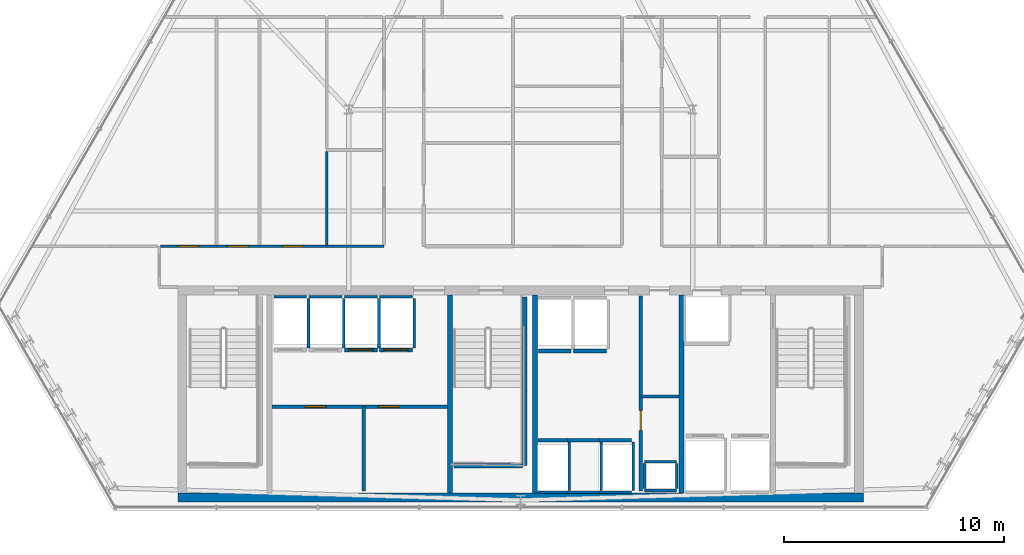
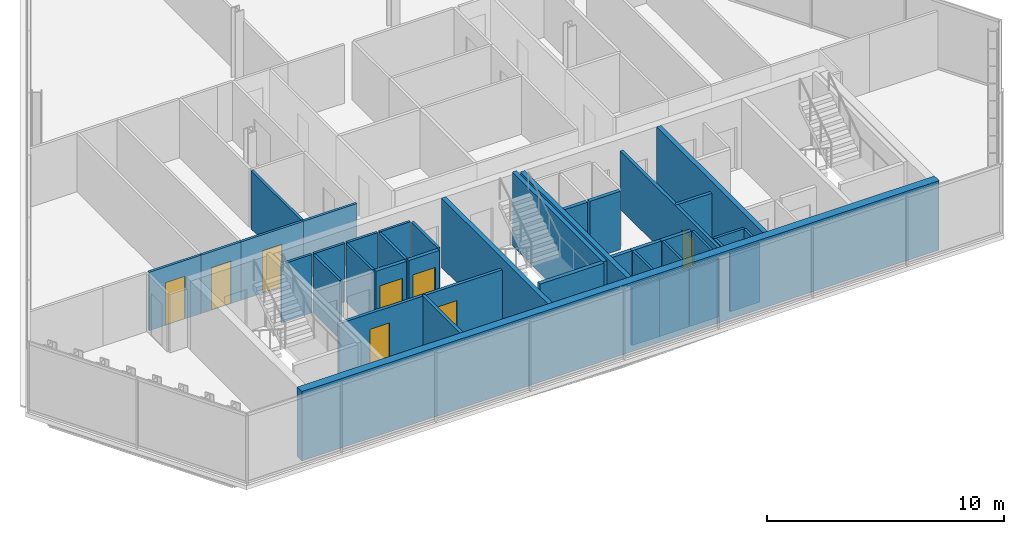
# One storey, part 27 of 33: 40 walls, 8 doors, 8 openings.
"""IFC4 building model written with IfcOpenShell, lengths in metres."""

from ifc_helpers import new_model, si_unit, direction, frame, frame_2d, origin, place, context, subcontext, project, spatial, rectangle, extrude, material, layer, layer_set, type_object, element, fill, save


model = new_model("IFC4")

# Units and contexts
model_context = context("Model", 3, precision=1e-05, world=origin(), true_north=direction((0.0, 1.0)))
body_context = subcontext(model_context, "Body", "Model", "MODEL_VIEW")
ifc_project = project(units=[si_unit("LENGTHUNIT", "METRE"), si_unit("AREAUNIT", "SQUARE_METRE"), si_unit("VOLUMEUNIT", "CUBIC_METRE"), si_unit("PLANEANGLEUNIT", "RADIAN"), si_unit("MASSUNIT", "GRAM", prefix="KILO")], contexts=[model_context])

# Site, building, storey
site_placement = place(None, origin())
site = spatial("IfcSite", under=ifc_project, at=site_placement, CompositionType="ELEMENT")
building_placement = place(site_placement, origin())
building = spatial("IfcBuilding", under=site, at=building_placement, Name="Ndaravel Arena Tower", CompositionType="ELEMENT")
storey_placement = place(building_placement, frame((0.0, 0.0, 161.199951171875)))
storey = spatial("IfcBuildingStorey", under=building, at=storey_placement, Name="L38", CompositionType="ELEMENT", Elevation=161.199951171875)

# Wall, opening, door
ifc_material_1 = material(Name="Gypsum", Category="gypsum")
ifc_layer_1 = layer(ifc_material_1, 0.14990234375)
ifc_layer_set_1 = layer_set([ifc_layer_1], Name="Gypsum")
wall_type_1 = type_object("IfcWallType", Name="WALL-COMP-150", PredefinedType="PARTITIONING", material=ifc_layer_set_1)
wall_1_placement = place(storey_placement, frame((47.449951171875, 5.89990234375, 0.0), z_axis=(0.0, 0.0, 1.0), x_axis=(0.0, 1.0, 0.0)))
wall_1 = element("IfcWall", 1, at=wall_1_placement, inside=storey, type_object=wall_type_1, Name="L38 Core Riser Bay Partition", PredefinedType="PARTITIONING", context=body_context, shape_type="SweptSolid", body=[
    extrude(rectangle(XDim=8.85009765625, YDim=0.14990234375, at=frame_2d((4.425048828125, 0.0))), origin(), (0.0, 0.0, 1.0), 3.010498046875),
])
opening_1_placement = place(wall_1_placement, frame((2.75, 0.0, 0.0)))
opening_1 = element("IfcOpeningElement", 2, at=opening_1_placement, cuts=wall_1, Name="Opening RD-01", PredefinedType="OPENING", context=body_context, shape_type="SweptSolid", body=[
    extrude(rectangle(XDim=0.89990234375, YDim=2.10009765625, at=frame_2d((0.449951171875, 1.050048828125))), frame((0.0, 0.074951171875, 0.0), z_axis=(0.0, -1.0, 0.0), x_axis=(1.0, 0.0, 0.0)), (0.0, 0.0, 1.0), 0.14990234375),
])
ifc_material_2 = material(Name="Steel S355", Category="steel")
door_type_1 = type_object("IfcDoorType", Name="DT-08-RISER-900", OperationType="SINGLE_SWING_LEFT", PredefinedType="DOOR", material=ifc_material_2)
door_1_placement = place(opening_1_placement, origin())
door_1 = element("IfcDoor", 3, at=door_1_placement, inside=storey, type_object=door_type_1, Name="L38 Electrical Riser Door", OperationType="SINGLE_SWING_RIGHT", OverallHeight=2.10009765625, OverallWidth=0.89990234375, PredefinedType="DOOR", context=body_context, shape_type="SweptSolid", body=[
    extrude(rectangle(XDim=0.89990234375, YDim=2.10009765625, at=frame_2d((0.449951171875, 1.050048828125))), frame((0.0, 0.02490234375, 0.0), z_axis=(0.0, -1.0, 0.0), x_axis=(1.0, 0.0, 0.0)), (0.0, 0.0, 1.0), 0.050048828125),
])
fill(opening_1, door_1)

# Wall
wall_2_placement = place(storey_placement, frame((47.449951171875, 10.179931640625, 0.0), z_axis=(0.0, 0.0, 1.0), x_axis=(1.0, 0.0, 0.0)))
element("IfcWall", 4, at=wall_2_placement, inside=storey, type_object=wall_type_1, Name="L38 Core Riser Divider 1", PredefinedType="PARTITIONING", context=body_context, shape_type="SweptSolid", body=[
    extrude(rectangle(XDim=1.72998046875, YDim=0.14990234375, at=frame_2d((0.864990234375, 0.0))), origin(), (0.0, 0.0, 1.0), 3.010498046875),
])

# Wall, openings, doors
wall_3_placement = place(storey_placement, frame((30.719970703125, 9.719970703125, 0.0), z_axis=(0.0, 0.0, 1.0), x_axis=(1.0, 0.0, 0.0)))
wall_3 = element("IfcWall", 5, at=wall_3_placement, inside=storey, type_object=wall_type_1, Name="L38 Reclaimed Shaft Partition", PredefinedType="PARTITIONING", context=body_context, shape_type="SweptSolid", body=[
    extrude(rectangle(XDim=7.9599609375, YDim=0.14990234375, at=frame_2d((3.97998046875, 0.0))), origin(), (0.0, 0.0, 1.0), 3.010498046875),
])
opening_2_placement = place(wall_3_placement, frame((1.5, 0.0, 0.0)))
opening_2 = element("IfcOpeningElement", 6, at=opening_2_placement, cuts=wall_3, Name="Opening FD-03", PredefinedType="OPENING", context=body_context, shape_type="SweptSolid", body=[
    extrude(rectangle(XDim=0.949951171875, YDim=2.199951171875, at=frame_2d((0.47509765625, 1.10009765625))), frame((0.0, 0.074951171875, 0.0), z_axis=(0.0, -1.0, 0.0), x_axis=(1.0, 0.0, 0.0)), (0.0, 0.0, 1.0), 0.14990234375),
])
opening_3_placement = place(wall_3_placement, frame((4.81005859375, 0.0, 0.0)))
opening_3 = element("IfcOpeningElement", 7, at=opening_3_placement, cuts=wall_3, Name="Opening FD-03", PredefinedType="OPENING", context=body_context, shape_type="SweptSolid", body=[
    extrude(rectangle(XDim=0.949951171875, YDim=2.199951171875, at=frame_2d((0.47509765625, 1.10009765625))), frame((0.0, 0.074951171875, 0.0), z_axis=(0.0, -1.0, 0.0), x_axis=(1.0, 0.0, 0.0)), (0.0, 0.0, 1.0), 0.14990234375),
])
ifc_material_3 = material(Name="Steel S355", Category="steel")
door_type_2 = type_object("IfcDoorType", Name="DT-11-CORE-950", OperationType="SINGLE_SWING_LEFT", PredefinedType="DOOR", material=ifc_material_3)
door_2_placement = place(opening_2_placement, origin())
door_2 = element("IfcDoor", 8, at=door_2_placement, inside=storey, type_object=door_type_2, Name="L38 ICT Server Room Door", OperationType="SINGLE_SWING_LEFT", OverallHeight=2.199951171875, OverallWidth=0.949951171875, PredefinedType="DOOR", context=body_context, shape_type="SweptSolid", body=[
    extrude(rectangle(XDim=0.949951171875, YDim=2.199951171875, at=frame_2d((0.47509765625, 1.10009765625))), frame((0.0, 0.02490234375, 0.0), z_axis=(0.0, -1.0, 0.0), x_axis=(1.0, 0.0, 0.0)), (0.0, 0.0, 1.0), 0.050048828125),
])
fill(opening_2, door_2)
door_3_placement = place(opening_3_placement, origin())
door_3 = element("IfcDoor", 9, at=door_3_placement, inside=storey, type_object=door_type_2, Name="L38 Core Archive Room Door", OperationType="SINGLE_SWING_RIGHT", OverallHeight=2.199951171875, OverallWidth=0.949951171875, PredefinedType="DOOR", context=body_context, shape_type="SweptSolid", body=[
    extrude(rectangle(XDim=0.949951171875, YDim=2.199951171875, at=frame_2d((0.47509765625, 1.10009765625))), frame((0.0, 0.02490234375, 0.0), z_axis=(0.0, -1.0, 0.0), x_axis=(1.0, 0.0, 0.0)), (0.0, 0.0, 1.0), 0.050048828125),
])
fill(opening_3, door_3)

# Walls
wall_4_placement = place(storey_placement, frame((34.8798828125, 5.89990234375, 0.0), z_axis=(0.0, 0.0, 1.0), x_axis=(0.0, 1.0, 0.0)))
element("IfcWall", 10, at=wall_4_placement, inside=storey, type_object=wall_type_1, Name="L38 Reclaimed Bay Divider", PredefinedType="PARTITIONING", context=body_context, shape_type="SweptSolid", body=[
    extrude(rectangle(XDim=3.820068359375, YDim=0.14990234375, at=frame_2d((1.91015625, 0.0))), origin(), (0.0, 0.0, 1.0), 3.010498046875),
])
ifc_material_4 = material(Name="Concrete C50/60", Category="concrete")
ifc_layer_2 = layer(ifc_material_4, 0.219970703125)
ifc_layer_set_2 = layer_set([ifc_layer_2], Name="Concrete C50/60")
wall_type_2 = type_object("IfcWallType", Name="WALL-CORE-220", PredefinedType="SOLIDWALL", material=ifc_layer_set_2)
for number, where, z_axis, x_axis, name in (
    (11, (38.800048828125, 5.800048828125, 0.0), (0.0, 0.0, 1.0), (0.0, 1.0, 0.0), "L38 Core Web Shear Wall 2"),
    (12, (42.64990234375, 5.800048828125, 0.0), (0.0, 0.0, 1.0), (0.0, 1.0, 0.0), "L38 Core Web Shear Wall 3"),
    (13, (49.300048828125, 5.800048828125, 0.0), (0.0, 0.0, 1.0), (0.0, 1.0, 0.0), "L38 Core Web Shear Wall 4"),
):
    element("IfcWall", number, at=place(storey_placement, frame(where, z_axis=z_axis, x_axis=x_axis)), inside=storey, type_object=wall_type_2, Name=name, PredefinedType="SOLIDWALL", context=body_context, shape_type="SweptSolid", body=[
        extrude(rectangle(XDim=9.0, YDim=0.219970703125, at=frame_2d((4.5, 0.0))), origin(), (0.0, 0.0, 1.0), 3.580078125),
    ])
ifc_material_5 = material(Name="Concrete C50/60", Category="concrete")
ifc_layer_3 = layer(ifc_material_5, 0.39990234375)
ifc_layer_set_3 = layer_set([ifc_layer_3], Name="Concrete C50/60")
wall_type_3 = type_object("IfcWallType", Name="WALL-CORE-400", PredefinedType="SOLIDWALL", material=ifc_layer_set_3)
wall_5_placement = place(storey_placement, frame((26.449951171875, 5.60009765625, 0.0), z_axis=(0.0, 0.0, 1.0), x_axis=(1.0, 0.0, 0.0)))
element("IfcWall", 14, at=wall_5_placement, inside=storey, type_object=wall_type_3, Name="L38 Core South Shear Wall", PredefinedType="SOLIDWALL", context=body_context, shape_type="SweptSolid", body=[
    extrude(rectangle(XDim=31.10009765625, YDim=0.39990234375, at=frame_2d((15.550048828125, 0.0))), origin(), (0.0, 0.0, 1.0), 3.580078125),
])

# Wall, opening, door
ifc_material_6 = material(Name="Gypsum", Category="gypsum")
ifc_layer_4 = layer(ifc_material_6, 0.125)
ifc_layer_set_4 = layer_set([ifc_layer_4], Name="Gypsum")
wall_type_4 = type_object("IfcWallType", Name="WALL-PART-125", PredefinedType="PARTITIONING", material=ifc_layer_set_4)
wall_6_placement = place(storey_placement, frame((25.6650390625, 17.0, 0.0), z_axis=(0.0, 0.0, 1.0), x_axis=(1.0, 0.0, 0.0)))
wall_6 = element("IfcWall", 15, at=wall_6_placement, inside=storey, type_object=wall_type_4, Name="L38 Interior Partition 005", PredefinedType="PARTITIONING", context=body_context, shape_type="SweptSolid", body=[
    extrude(rectangle(XDim=2.534912109375, YDim=0.125, at=frame_2d((1.267578125, 0.0))), origin(), (0.0, 0.0, 1.0), 3.010498046875),
])
opening_4_placement = place(wall_6_placement, frame((0.79248046875, 0.0, 0.0)))
opening_4 = element("IfcOpeningElement", 16, at=opening_4_placement, cuts=wall_6, Name="Opening ID-01", PredefinedType="OPENING", context=body_context, shape_type="SweptSolid", body=[
    extrude(rectangle(XDim=0.949951171875, YDim=2.199951171875, at=frame_2d((0.47509765625, 1.10009765625))), frame((0.0, 0.0625, 0.0), z_axis=(0.0, -1.0, 0.0), x_axis=(1.0, 0.0, 0.0)), (0.0, 0.0, 1.0), 0.125),
])
ifc_material_7 = material(Name="Timber", Category="wood")
door_type_3 = type_object("IfcDoorType", Name="DT-03-OFFICE-950", OperationType="SINGLE_SWING_LEFT", PredefinedType="DOOR", material=ifc_material_7)
door_4_placement = place(opening_4_placement, origin())
door_4 = element("IfcDoor", 17, at=door_4_placement, inside=storey, type_object=door_type_3, Name="L38 Occupational Consult Room 2 Door", OperationType="SINGLE_SWING_RIGHT", OverallHeight=2.199951171875, OverallWidth=0.949951171875, PredefinedType="DOOR", context=body_context, shape_type="SweptSolid", body=[
    extrude(rectangle(XDim=0.949951171875, YDim=2.199951171875, at=frame_2d((0.47509765625, 1.10009765625))), frame((0.0, 0.02490234375, 0.0), z_axis=(0.0, -1.0, 0.0), x_axis=(1.0, 0.0, 0.0)), (0.0, 0.0, 1.0), 0.050048828125),
])
fill(opening_4, door_4)

wall_7_placement = place(storey_placement, frame((28.199951171875, 17.0, 0.0), z_axis=(0.0, 0.0, 1.0), x_axis=(1.0, 0.0, 0.0)))
wall_7 = element("IfcWall", 18, at=wall_7_placement, inside=storey, type_object=wall_type_4, Name="L38 Interior Partition 006", PredefinedType="PARTITIONING", context=body_context, shape_type="SweptSolid", body=[
    extrude(rectangle(XDim=1.949951171875, YDim=0.125, at=frame_2d((0.97509765625, 0.0))), origin(), (0.0, 0.0, 1.0), 3.010498046875),
])
opening_5_placement = place(wall_7_placement, frame((0.5, 0.0, 0.0)))
opening_5 = element("IfcOpeningElement", 19, at=opening_5_placement, cuts=wall_7, Name="Opening ID-01", PredefinedType="OPENING", context=body_context, shape_type="SweptSolid", body=[
    extrude(rectangle(XDim=0.949951171875, YDim=2.199951171875, at=frame_2d((0.47509765625, 1.10009765625))), frame((0.0, 0.0625, 0.0), z_axis=(0.0, -1.0, 0.0), x_axis=(1.0, 0.0, 0.0)), (0.0, 0.0, 1.0), 0.125),
])
door_5_placement = place(opening_5_placement, origin())
door_5 = element("IfcDoor", 20, at=door_5_placement, inside=storey, type_object=door_type_3, Name="L38 Medical First Aid Clinic 3 Door", OperationType="SINGLE_SWING_LEFT", OverallHeight=2.199951171875, OverallWidth=0.949951171875, PredefinedType="DOOR", context=body_context, shape_type="SweptSolid", body=[
    extrude(rectangle(XDim=0.949951171875, YDim=2.199951171875, at=frame_2d((0.47509765625, 1.10009765625))), frame((0.0, 0.02490234375, 0.0), z_axis=(0.0, -1.0, 0.0), x_axis=(1.0, 0.0, 0.0)), (0.0, 0.0, 1.0), 0.050048828125),
])
fill(opening_5, door_5)

wall_8_placement = place(storey_placement, frame((30.14990234375, 17.0, 0.0), z_axis=(0.0, 0.0, 1.0), x_axis=(1.0, 0.0, 0.0)))
wall_8 = element("IfcWall", 21, at=wall_8_placement, inside=storey, type_object=wall_type_4, Name="L38 Interior Partition 007", PredefinedType="PARTITIONING", context=body_context, shape_type="SweptSolid", body=[
    extrude(rectangle(XDim=3.050048828125, YDim=0.125, at=frame_2d((1.52490234375, 0.0))), origin(), (0.0, 0.0, 1.0), 3.010498046875),
])
opening_6_placement = place(wall_8_placement, frame((1.050048828125, 0.0, 0.0)))
opening_6 = element("IfcOpeningElement", 22, at=opening_6_placement, cuts=wall_8, Name="Opening ID-01", PredefinedType="OPENING", context=body_context, shape_type="SweptSolid", body=[
    extrude(rectangle(XDim=0.949951171875, YDim=2.199951171875, at=frame_2d((0.47509765625, 1.10009765625))), frame((0.0, 0.0625, 0.0), z_axis=(0.0, -1.0, 0.0), x_axis=(1.0, 0.0, 0.0)), (0.0, 0.0, 1.0), 0.125),
])
door_6_placement = place(opening_6_placement, origin())
door_6 = element("IfcDoor", 23, at=door_6_placement, inside=storey, type_object=door_type_3, Name="L38 Training Classroom 4 Door", OperationType="SINGLE_SWING_RIGHT", OverallHeight=2.199951171875, OverallWidth=0.949951171875, PredefinedType="DOOR", context=body_context, shape_type="SweptSolid", body=[
    extrude(rectangle(XDim=0.949951171875, YDim=2.199951171875, at=frame_2d((0.47509765625, 1.10009765625))), frame((0.0, 0.02490234375, 0.0), z_axis=(0.0, -1.0, 0.0), x_axis=(1.0, 0.0, 0.0)), (0.0, 0.0, 1.0), 0.050048828125),
])
fill(opening_6, door_6)

# Walls
wall_9_placement = place(storey_placement, frame((33.199951171875, 17.0, 0.0), z_axis=(0.0, 0.0, 1.0), x_axis=(1.0, 0.0, 0.0)))
element("IfcWall", 24, at=wall_9_placement, inside=storey, type_object=wall_type_4, Name="L38 Interior Partition 008", PredefinedType="PARTITIONING", context=body_context, shape_type="SweptSolid", body=[
    extrude(rectangle(XDim=2.60009765625, YDim=0.125, at=frame_2d((1.300048828125, 0.0))), origin(), (0.0, 0.0, 1.0), 3.010498046875),
])
wall_10_placement = place(storey_placement, frame((33.199951171875, 17.06494140625, 0.0), z_axis=(0.0, 0.0, 1.0), x_axis=(0.0, 1.0, 0.0)))
element("IfcWall", 25, at=wall_10_placement, inside=storey, type_object=wall_type_4, Name="L38 Interior Partition 033", PredefinedType="PARTITIONING", context=body_context, shape_type="SweptSolid", body=[
    extrude(rectangle(XDim=4.238037109375, YDim=0.125, at=frame_2d((2.119140625, 0.0))), origin(), (0.0, 0.0, 1.0), 3.010498046875),
])
ifc_material_8 = material(Name="Concrete C40/50", Category="concrete")
ifc_layer_5 = layer(ifc_material_8, 0.1201171875)
ifc_layer_set_5 = layer_set([ifc_layer_5], Name="Concrete C40/50")
wall_type_5 = type_object("IfcWallType", Name="WALL-SHAFT-120", PredefinedType="SOLIDWALL", material=ifc_layer_set_5)
for number, where, z_axis, x_axis, name in (
    (26, (47.6201171875, 5.919921875, 0.0), (0.0, 0.0, 1.0), (1.0, 0.0, 0.0), "L38 MEP Riser Shaft S Wall"),
    (27, (47.6201171875, 7.219970703125, 0.0), (0.0, 0.0, 1.0), (1.0, 0.0, 0.0), "L38 MEP Riser Shaft N Wall"),
):
    element("IfcWall", number, at=place(storey_placement, frame(where, z_axis=z_axis, x_axis=x_axis)), inside=storey, type_object=wall_type_5, Name=name, PredefinedType="SOLIDWALL", context=body_context, shape_type="SweptSolid", body=[
        extrude(rectangle(XDim=1.4599609375, YDim=0.1201171875, at=frame_2d((0.72998046875, 0.0))), origin(), (0.0, 0.0, 1.0), 3.010498046875),
    ])
for number, where, z_axis, x_axis, name in (
    (28, (47.6201171875, 6.0, 0.0), (0.0, 0.0, 1.0), (0.0, 1.0, 0.0), "L38 MEP Riser Shaft W Wall"),
    (29, (49.080078125, 6.0, 0.0), (0.0, 0.0, 1.0), (0.0, 1.0, 0.0), "L38 MEP Riser Shaft E Wall"),
):
    element("IfcWall", number, at=place(storey_placement, frame(where, z_axis=z_axis, x_axis=x_axis)), inside=storey, type_object=wall_type_5, Name=name, PredefinedType="SOLIDWALL", context=body_context, shape_type="SweptSolid", body=[
        extrude(rectangle(XDim=1.139892578125, YDim=0.1201171875, at=frame_2d((0.56982421875, 0.0))), origin(), (0.0, 0.0, 1.0), 3.010498046875),
    ])
wall_11_placement = place(storey_placement, frame((30.804931640625, 14.7099609375, 0.0), z_axis=(0.0, 0.0, 1.0), x_axis=(1.0, 0.0, 0.0)))
element("IfcWall", 30, at=wall_11_placement, inside=storey, type_object=wall_type_5, Name="L38 PL-M1 Shaft Rear Wall", PredefinedType="SOLIDWALL", context=body_context, shape_type="SweptSolid", body=[
    extrude(rectangle(XDim=1.489990234375, YDim=0.1201171875, at=frame_2d((0.7451171875, 0.0))), origin(), (0.0, 0.0, 1.0), 3.010498046875),
])
wall_12_placement = place(storey_placement, frame((32.375, 12.389892578125, 0.0), z_axis=(0.0, 0.0, 1.0), x_axis=(0.0, 1.0, 0.0)))
element("IfcWall", 31, at=wall_12_placement, inside=storey, type_object=wall_type_5, Name="L38 PL-M1 Shaft Side R Wall", PredefinedType="SOLIDWALL", context=body_context, shape_type="SweptSolid", body=[
    extrude(rectangle(XDim=2.230224609375, YDim=0.1201171875, at=frame_2d((1.115234375, 0.0))), origin(), (0.0, 0.0, 1.0), 3.010498046875),
])
wall_13_placement = place(storey_placement, frame((32.405029296875, 14.7099609375, 0.0), z_axis=(0.0, 0.0, 1.0), x_axis=(1.0, 0.0, 0.0)))
element("IfcWall", 32, at=wall_13_placement, inside=storey, type_object=wall_type_5, Name="L38 PL-M2 Shaft Rear Wall", PredefinedType="SOLIDWALL", context=body_context, shape_type="SweptSolid", body=[
    extrude(rectangle(XDim=1.489990234375, YDim=0.1201171875, at=frame_2d((0.7451171875, 0.0))), origin(), (0.0, 0.0, 1.0), 3.010498046875),
])
wall_14_placement = place(storey_placement, frame((33.97509765625, 12.389892578125, 0.0), z_axis=(0.0, 0.0, 1.0), x_axis=(0.0, 1.0, 0.0)))
element("IfcWall", 33, at=wall_14_placement, inside=storey, type_object=wall_type_5, Name="L38 PL-M2 Shaft Side R Wall", PredefinedType="SOLIDWALL", context=body_context, shape_type="SweptSolid", body=[
    extrude(rectangle(XDim=2.230224609375, YDim=0.1201171875, at=frame_2d((1.115234375, 0.0))), origin(), (0.0, 0.0, 1.0), 3.010498046875),
])
wall_15_placement = place(storey_placement, frame((34.0048828125, 14.7099609375, 0.0), z_axis=(0.0, 0.0, 1.0), x_axis=(1.0, 0.0, 0.0)))
element("IfcWall", 34, at=wall_15_placement, inside=storey, type_object=wall_type_5, Name="L38 PL-M3 Shaft Rear Wall", PredefinedType="SOLIDWALL", context=body_context, shape_type="SweptSolid", body=[
    extrude(rectangle(XDim=1.490234375, YDim=0.1201171875, at=frame_2d((0.7451171875, 0.0))), origin(), (0.0, 0.0, 1.0), 3.010498046875),
])
wall_16_placement = place(storey_placement, frame((35.574951171875, 12.389892578125, 0.0), z_axis=(0.0, 0.0, 1.0), x_axis=(0.0, 1.0, 0.0)))
element("IfcWall", 35, at=wall_16_placement, inside=storey, type_object=wall_type_5, Name="L38 PL-M3 Shaft Side R Wall", PredefinedType="SOLIDWALL", context=body_context, shape_type="SweptSolid", body=[
    extrude(rectangle(XDim=2.230224609375, YDim=0.1201171875, at=frame_2d((1.115234375, 0.0))), origin(), (0.0, 0.0, 1.0), 3.010498046875),
])
wall_17_placement = place(storey_placement, frame((35.60498046875, 14.7099609375, 0.0), z_axis=(0.0, 0.0, 1.0), x_axis=(1.0, 0.0, 0.0)))
element("IfcWall", 36, at=wall_17_placement, inside=storey, type_object=wall_type_5, Name="L38 PL-M4 Shaft Rear Wall", PredefinedType="SOLIDWALL", context=body_context, shape_type="SweptSolid", body=[
    extrude(rectangle(XDim=1.489990234375, YDim=0.1201171875, at=frame_2d((0.7451171875, 0.0))), origin(), (0.0, 0.0, 1.0), 3.010498046875),
])
wall_18_placement = place(storey_placement, frame((37.175048828125, 12.389892578125, 0.0), z_axis=(0.0, 0.0, 1.0), x_axis=(0.0, 1.0, 0.0)))
element("IfcWall", 37, at=wall_18_placement, inside=storey, type_object=wall_type_5, Name="L38 PL-M4 Shaft Side R Wall", PredefinedType="SOLIDWALL", context=body_context, shape_type="SweptSolid", body=[
    extrude(rectangle(XDim=2.230224609375, YDim=0.1201171875, at=frame_2d((1.115234375, 0.0))), origin(), (0.0, 0.0, 1.0), 3.010498046875),
])
wall_19_placement = place(storey_placement, frame((42.780029296875, 5.840087890625, 0.0), z_axis=(0.0, 0.0, 1.0), x_axis=(1.0, 0.0, 0.0)))
element("IfcWall", 38, at=wall_19_placement, inside=storey, type_object=wall_type_5, Name="L38 PL-H1 Shaft Rear Wall", PredefinedType="SOLIDWALL", context=body_context, shape_type="SweptSolid", body=[
    extrude(rectangle(XDim=1.340087890625, YDim=0.1201171875, at=frame_2d((0.669921875, 0.0))), origin(), (0.0, 0.0, 1.0), 3.010498046875),
])
wall_20_placement = place(storey_placement, frame((44.199951171875, 5.929931640625, 0.0), z_axis=(0.0, 0.0, 1.0), x_axis=(0.0, 1.0, 0.0)))
element("IfcWall", 39, at=wall_20_placement, inside=storey, type_object=wall_type_5, Name="L38 PL-H1 Shaft Side R Wall", PredefinedType="SOLIDWALL", context=body_context, shape_type="SweptSolid", body=[
    extrude(rectangle(XDim=2.18017578125, YDim=0.1201171875, at=frame_2d((1.090087890625, 0.0))), origin(), (0.0, 0.0, 1.0), 3.010498046875),
])
wall_21_placement = place(storey_placement, frame((44.1298828125, 5.840087890625, 0.0), z_axis=(0.0, 0.0, 1.0), x_axis=(1.0, 0.0, 0.0)))
element("IfcWall", 40, at=wall_21_placement, inside=storey, type_object=wall_type_5, Name="L38 PL-H2 Shaft Rear Wall", PredefinedType="SOLIDWALL", context=body_context, shape_type="SweptSolid", body=[
    extrude(rectangle(XDim=1.440185546875, YDim=0.1201171875, at=frame_2d((0.72021484375, 0.0))), origin(), (0.0, 0.0, 1.0), 3.010498046875),
])
wall_22_placement = place(storey_placement, frame((45.64990234375, 5.929931640625, 0.0), z_axis=(0.0, 0.0, 1.0), x_axis=(0.0, 1.0, 0.0)))
element("IfcWall", 41, at=wall_22_placement, inside=storey, type_object=wall_type_5, Name="L38 PL-H2 Shaft Side R Wall", PredefinedType="SOLIDWALL", context=body_context, shape_type="SweptSolid", body=[
    extrude(rectangle(XDim=2.18017578125, YDim=0.1201171875, at=frame_2d((1.090087890625, 0.0))), origin(), (0.0, 0.0, 1.0), 3.010498046875),
])
wall_23_placement = place(storey_placement, frame((45.580078125, 5.840087890625, 0.0), z_axis=(0.0, 0.0, 1.0), x_axis=(1.0, 0.0, 0.0)))
element("IfcWall", 42, at=wall_23_placement, inside=storey, type_object=wall_type_5, Name="L38 PL-H3 Shaft Rear Wall", PredefinedType="SOLIDWALL", context=body_context, shape_type="SweptSolid", body=[
    extrude(rectangle(XDim=1.43994140625, YDim=0.1201171875, at=frame_2d((0.719970703125, 0.0))), origin(), (0.0, 0.0, 1.0), 3.010498046875),
])
wall_24_placement = place(storey_placement, frame((47.10009765625, 5.929931640625, 0.0), z_axis=(0.0, 0.0, 1.0), x_axis=(0.0, 1.0, 0.0)))
element("IfcWall", 43, at=wall_24_placement, inside=storey, type_object=wall_type_5, Name="L38 PL-H3 Shaft Side R Wall", PredefinedType="SOLIDWALL", context=body_context, shape_type="SweptSolid", body=[
    extrude(rectangle(XDim=2.18017578125, YDim=0.1201171875, at=frame_2d((1.090087890625, 0.0))), origin(), (0.0, 0.0, 1.0), 3.010498046875),
])
ifc_material_9 = material(Name="Concrete C40/50", Category="concrete")
ifc_layer_6 = layer(ifc_material_9, 0.199951171875)
ifc_layer_set_6 = layer_set([ifc_layer_6], Name="Concrete C40/50")
wall_type_6 = type_object("IfcWallType", Name="WALL-SHAFT-200", PredefinedType="SOLIDWALL", material=ifc_layer_set_6)
wall_25_placement = place(storey_placement, frame((42.18994140625, 14.699951171875, 0.0), z_axis=(0.0, 0.0, 1.0), x_axis=(0.0, -1.0, 0.0)))
element("IfcWall", 44, at=wall_25_placement, inside=storey, type_object=wall_type_6, Name="L38 ST-2 Structural Shaft Wall Right", PredefinedType="SOLIDWALL", context=body_context, shape_type="SweptSolid", body=[
    extrude(rectangle(XDim=7.64990234375, YDim=0.199951171875, at=frame_2d((3.824951171875, 0.0))), origin(), (0.0, 0.0, 1.0), 3.800048828125),
])
wall_26_placement = place(storey_placement, frame((38.969970703125, 7.050048828125, 0.0), z_axis=(0.0, 0.0, 1.0), x_axis=(1.0, 0.0, 0.0)))
element("IfcWall", 45, at=wall_26_placement, inside=storey, type_object=wall_type_6, Name="L38 ST-2 Structural Shaft Wall Far", PredefinedType="SOLIDWALL", context=body_context, shape_type="SweptSolid", body=[
    extrude(rectangle(XDim=3.114990234375, YDim=0.199951171875, at=frame_2d((1.5576171875, 0.0))), origin(), (0.0, 0.0, 1.0), 3.800048828125),
])

# Wall, opening, door
wall_27_placement = place(storey_placement, frame((34.0048828125, 12.300048828125, 0.0), z_axis=(0.0, 0.0, 1.0), x_axis=(1.0, 0.0, 0.0)))
wall_27 = element("IfcWall", 46, at=wall_27_placement, inside=storey, type_object=wall_type_6, Name="L38 PL-M3 Shaft Landing Wall", PredefinedType="SOLIDWALL", context=body_context, shape_type="SweptSolid", body=[
    extrude(rectangle(XDim=1.490234375, YDim=0.179931640625, at=frame_2d((0.7451171875, 0.0))), origin(), (0.0, 0.0, 1.0), 3.010498046875),
])
opening_7_placement = place(wall_27_placement, frame((0.195068359375, 0.0, 0.0)))
opening_7 = element("IfcOpeningElement", 47, at=opening_7_placement, cuts=wall_27, Name="Opening LD-01", PredefinedType="OPENING", context=body_context, shape_type="SweptSolid", body=[
    extrude(rectangle(XDim=1.10009765625, YDim=2.199951171875, at=frame_2d((0.550048828125, 1.10009765625))), frame((0.0, 0.08984375, 0.0), z_axis=(0.0, -1.0, 0.0), x_axis=(1.0, 0.0, 0.0)), (0.0, 0.0, 1.0), 0.179931640625),
])
ifc_material_10 = material(Name="Steel S355", Category="steel")
door_type_4 = type_object("IfcDoorType", Name="DT-06-LIFT-1100", OperationType="SLIDING_TO_LEFT", PredefinedType="DOOR", material=ifc_material_10)
door_7_placement = place(opening_7_placement, origin())
door_7 = element("IfcDoor", 48, at=door_7_placement, inside=storey, type_object=door_type_4, Name="L38 Lift PL-M3 Sliding Landing Door", OperationType="SLIDING_TO_LEFT", OverallHeight=2.199951171875, OverallWidth=1.10009765625, PredefinedType="DOOR", context=body_context, shape_type="SweptSolid", body=[
    extrude(rectangle(XDim=1.10009765625, YDim=2.199951171875, at=frame_2d((0.550048828125, 1.10009765625))), frame((0.0, 0.02490234375, 0.0), z_axis=(0.0, -1.0, 0.0), x_axis=(1.0, 0.0, 0.0)), (0.0, 0.0, 1.0), 0.050048828125),
])
fill(opening_7, door_7)

wall_28_placement = place(storey_placement, frame((35.60498046875, 12.300048828125, 0.0), z_axis=(0.0, 0.0, 1.0), x_axis=(1.0, 0.0, 0.0)))
wall_28 = element("IfcWall", 49, at=wall_28_placement, inside=storey, type_object=wall_type_6, Name="L38 PL-M4 Shaft Landing Wall", PredefinedType="SOLIDWALL", context=body_context, shape_type="SweptSolid", body=[
    extrude(rectangle(XDim=1.489990234375, YDim=0.179931640625, at=frame_2d((0.7451171875, 0.0))), origin(), (0.0, 0.0, 1.0), 3.010498046875),
])
opening_8_placement = place(wall_28_placement, frame((0.195068359375, 0.0, 0.0)))
opening_8 = element("IfcOpeningElement", 50, at=opening_8_placement, cuts=wall_28, Name="Opening LD-01", PredefinedType="OPENING", context=body_context, shape_type="SweptSolid", body=[
    extrude(rectangle(XDim=1.10009765625, YDim=2.199951171875, at=frame_2d((0.550048828125, 1.10009765625))), frame((0.0, 0.08984375, 0.0), z_axis=(0.0, -1.0, 0.0), x_axis=(1.0, 0.0, 0.0)), (0.0, 0.0, 1.0), 0.179931640625),
])
door_8_placement = place(opening_8_placement, origin())
door_8 = element("IfcDoor", 51, at=door_8_placement, inside=storey, type_object=door_type_4, Name="L38 Lift PL-M4 Sliding Landing Door", OperationType="SLIDING_TO_LEFT", OverallHeight=2.199951171875, OverallWidth=1.10009765625, PredefinedType="DOOR", context=body_context, shape_type="SweptSolid", body=[
    extrude(rectangle(XDim=1.10009765625, YDim=2.199951171875, at=frame_2d((0.550048828125, 1.10009765625))), frame((0.0, 0.02490234375, 0.0), z_axis=(0.0, -1.0, 0.0), x_axis=(1.0, 0.0, 0.0)), (0.0, 0.0, 1.0), 0.050048828125),
])
fill(opening_8, door_8)

# Walls
wall_29_placement = place(storey_placement, frame((42.780029296875, 8.199951171875, 0.0), z_axis=(0.0, 0.0, 1.0), x_axis=(1.0, 0.0, 0.0)))
element("IfcWall", 52, at=wall_29_placement, inside=storey, type_object=wall_type_6, Name="L38 PL-H1 Shaft Landing Wall", PredefinedType="SOLIDWALL", context=body_context, shape_type="SweptSolid", body=[
    extrude(rectangle(XDim=1.340087890625, YDim=0.179931640625, at=frame_2d((0.669921875, 0.0))), origin(), (0.0, 0.0, 1.0), 3.010498046875),
])
wall_30_placement = place(storey_placement, frame((44.1298828125, 8.199951171875, 0.0), z_axis=(0.0, 0.0, 1.0), x_axis=(1.0, 0.0, 0.0)))
element("IfcWall", 53, at=wall_30_placement, inside=storey, type_object=wall_type_6, Name="L38 PL-H2 Shaft Landing Wall", PredefinedType="SOLIDWALL", context=body_context, shape_type="SweptSolid", body=[
    extrude(rectangle(XDim=1.440185546875, YDim=0.179931640625, at=frame_2d((0.72021484375, 0.0))), origin(), (0.0, 0.0, 1.0), 3.010498046875),
])
wall_31_placement = place(storey_placement, frame((45.580078125, 8.199951171875, 0.0), z_axis=(0.0, 0.0, 1.0), x_axis=(1.0, 0.0, 0.0)))
element("IfcWall", 54, at=wall_31_placement, inside=storey, type_object=wall_type_6, Name="L38 PL-H3 Shaft Landing Wall", PredefinedType="SOLIDWALL", context=body_context, shape_type="SweptSolid", body=[
    extrude(rectangle(XDim=1.43994140625, YDim=0.179931640625, at=frame_2d((0.719970703125, 0.0))), origin(), (0.0, 0.0, 1.0), 3.010498046875),
])
for number, where, z_axis, x_axis, name in (
    (55, (42.804931640625, 12.25, 0.0), (0.0, 0.0, 1.0), (1.0, 0.0, 0.0), "L38 PL-OBS1 Shaft Landing Wall"),
    (56, (44.405029296875, 12.25, 0.0), (0.0, 0.0, 1.0), (1.0, 0.0, 0.0), "L38 PL-OBS2 Shaft Landing Wall"),
):
    element("IfcWall", number, at=place(storey_placement, frame(where, z_axis=z_axis, x_axis=x_axis)), inside=storey, type_object=wall_type_6, Name=name, PredefinedType="SOLIDWALL", context=body_context, shape_type="SweptSolid", body=[
        extrude(rectangle(XDim=1.489990234375, YDim=0.179931640625, at=frame_2d((0.7451171875, 0.0))), origin(), (0.0, 0.0, 1.0), 3.010498046875),
    ])

save(model, "model.ifc")
